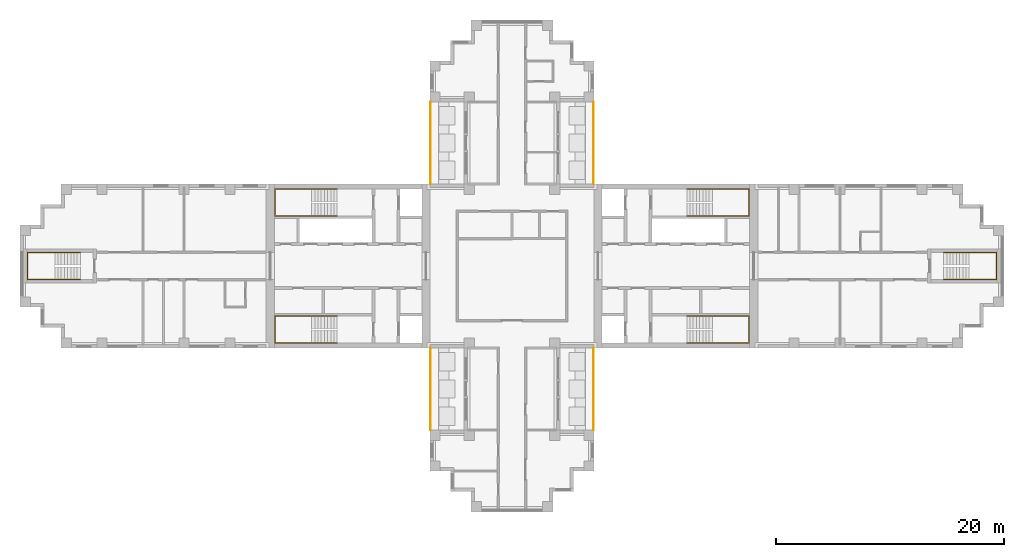
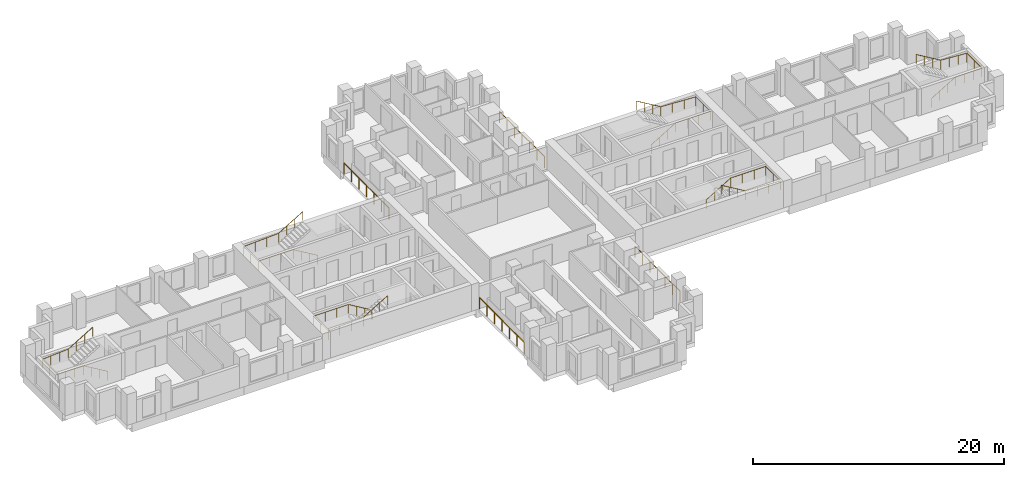
# One storey, part 10 of 11: 10 railings.
"""IFC4 building model written with IfcOpenShell, lengths in metres."""

from ifc_helpers import new_model, si_unit, direction, frame, origin, origin_2d, place, context, subcontext, project, spatial, circle, extrude, material, type_object, element, save


model = new_model("IFC4")

# Units and contexts
model_context = context("Model", 3, precision=1e-05, world=origin(), true_north=direction((0.0, 1.0)))
body_context = subcontext(model_context, "Body", "Model", "MODEL_VIEW")
ifc_project = project(units=[si_unit("LENGTHUNIT", "METRE"), si_unit("AREAUNIT", "SQUARE_METRE"), si_unit("VOLUMEUNIT", "CUBIC_METRE"), si_unit("PLANEANGLEUNIT", "RADIAN"), si_unit("MASSUNIT", "GRAM", prefix="KILO")], contexts=[model_context])

# Site, building, storey
site_placement = place(None, origin())
site = spatial("IfcSite", under=ifc_project, at=site_placement, CompositionType="ELEMENT")
building_placement = place(site_placement, origin())
building = spatial("IfcBuilding", under=site, at=building_placement, Name="Fustian Cross Tower", CompositionType="ELEMENT")
storey_placement = place(building_placement, frame((0.0, 0.0, 144.300048828125)))
storey = spatial("IfcBuildingStorey", under=building, at=storey_placement, Name="L45", CompositionType="ELEMENT", Elevation=144.300048828125)

# Railings
ifc_material_1 = material(Name="Stainless steel and glass", Category="steel")
railing_type_1 = type_object("IfcRailingType", Name="GR1 BALCONY GUARD 1100", PredefinedType="GUARDRAIL", material=ifc_material_1)
for number, where, name in (
    (1, (7.14990234375, 7.199951171875, 0.0), "Balcony guard"),
    (2, (-7.14990234375, 7.199951171875, 0.0), "Balcony guard"),
    (3, (7.14990234375, -14.39990234375, 0.0), "Balcony guard"),
    (4, (-7.14990234375, -14.39990234375, 0.0), "Balcony guard"),
):
    element("IfcRailing", number, at=place(storey_placement, frame(where)), inside=storey, type_object=railing_type_1, Name=name, PredefinedType="GUARDRAIL", context=body_context, shape_type="SweptSolid", body=[
        extrude(circle(Radius=0.02392578125, at=origin_2d()), frame((0.0, 0.0, 1.076171875), z_axis=(0.0, 1.0, 0.0), x_axis=(-1.0, 0.0, 0.0)), (0.0, 0.0, 1.0), 7.199951171875),
        extrude(circle(Radius=0.02099609375, at=origin_2d()), origin(), (0.0, 0.0, 1.0), 1.052001953125),
        extrude(circle(Radius=0.02099609375, at=origin_2d()), frame((0.0, 1.199951171875, 0.0)), (0.0, 0.0, 1.0), 1.052001953125),
        extrude(circle(Radius=0.02099609375, at=origin_2d()), frame((0.0, 2.39990234375, 0.0)), (0.0, 0.0, 1.0), 1.052001953125),
        extrude(circle(Radius=0.02099609375, at=origin_2d()), frame((0.0, 3.60009765625, 0.0)), (0.0, 0.0, 1.0), 1.052001953125),
        extrude(circle(Radius=0.02099609375, at=origin_2d()), frame((0.0, 4.800048828125, 0.0)), (0.0, 0.0, 1.0), 1.052001953125),
        extrude(circle(Radius=0.02099609375, at=origin_2d()), frame((0.0, 6.0, 0.0)), (0.0, 0.0, 1.0), 1.052001953125),
        extrude(circle(Radius=0.02099609375, at=origin_2d()), frame((0.0, 7.199951171875, 0.0)), (0.0, 0.0, 1.0), 1.052001953125),
    ])
ifc_material_2 = material(Name="Stainless steel", Category="steel")
railing_type_2 = type_object("IfcRailingType", Name="STAIR HANDRAIL", PredefinedType="HANDRAIL", material=ifc_material_2)
railing_1_placement = place(storey_placement, frame((15.35009765625, 4.39990234375, 0.16650390625)))
element("IfcRailing", 5, at=railing_1_placement, inside=storey, type_object=railing_type_2, Name="Stair ST1 handrail 1", PredefinedType="HANDRAIL", context=body_context, shape_type="SweptSolid", body=[
    extrude(circle(Radius=0.02490234375, at=origin_2d()), frame((0.0, 0.0, 0.875), z_axis=(0.859264461869, 0.0, 0.511531606619), x_axis=(0.0, 1.0, 0.0)), (0.0, 0.0, 1.0), 2.60693359375),
    extrude(circle(Radius=0.02490234375, at=origin_2d()), frame((2.239990234375, 0.0, 2.20849609375), z_axis=(1.0, 0.0, 0.0), x_axis=(0.0, 1.0, 0.0)), (0.0, 0.0, 1.0), 3.219970703125),
    extrude(circle(Radius=0.02490234375, at=origin_2d()), frame((5.4599609375, 0.0, 2.20849609375), z_axis=(0.0, 1.0, 0.0), x_axis=(-1.0, 0.0, 0.0)), (0.0, 0.0, 1.0), 2.35009765625),
    extrude(circle(Radius=0.02490234375, at=origin_2d()), frame((5.4599609375, 2.35009765625, 2.20849609375), z_axis=(-0.998665725648, 0.0, 0.051640763128), x_axis=(0.0, -1.0, 0.0)), (0.0, 0.0, 1.0), 3.224365234375),
    extrude(circle(Radius=0.02490234375, at=origin_2d()), frame((2.239990234375, 2.35009765625, 2.375), z_axis=(-0.859264461869, 0.0, 0.511531606619), x_axis=(0.0, -1.0, 0.0)), (0.0, 0.0, 1.0), 2.60693359375),
    extrude(circle(Radius=0.02001953125, at=origin_2d()), origin(), (0.0, 0.0, 1.0), 0.849853515625),
    extrude(circle(Radius=0.02001953125, at=origin_2d()), frame((0.74658203125, 0.0, 0.444580078125)), (0.0, 0.0, 1.0), 0.849853515625),
    extrude(circle(Radius=0.02001953125, at=origin_2d()), frame((1.493408203125, 0.0, 0.888916015625)), (0.0, 0.0, 1.0), 0.849853515625),
    extrude(circle(Radius=0.02001953125, at=origin_2d()), frame((2.239990234375, 0.0, 1.33349609375)), (0.0, 0.0, 1.0), 0.849853515625),
    extrude(circle(Radius=0.02001953125, at=origin_2d()), frame((3.313232421875, 0.0, 1.33349609375)), (0.0, 0.0, 1.0), 0.849853515625),
    extrude(circle(Radius=0.02001953125, at=origin_2d()), frame((4.38671875, 0.0, 1.33349609375)), (0.0, 0.0, 1.0), 0.849853515625),
    extrude(circle(Radius=0.02001953125, at=origin_2d()), frame((5.4599609375, 0.0, 1.33349609375)), (0.0, 0.0, 1.0), 0.849853515625),
    extrude(circle(Radius=0.02001953125, at=origin_2d()), frame((5.4599609375, 1.175048828125, 1.33349609375)), (0.0, 0.0, 1.0), 0.849853515625),
    extrude(circle(Radius=0.02001953125, at=origin_2d()), frame((5.4599609375, 2.35009765625, 1.33349609375)), (0.0, 0.0, 1.0), 0.849853515625),
    extrude(circle(Radius=0.02001953125, at=origin_2d()), frame((4.38671875, 2.35009765625, 1.388916015625)), (0.0, 0.0, 1.0), 0.849853515625),
    extrude(circle(Radius=0.02001953125, at=origin_2d()), frame((3.313232421875, 2.35009765625, 1.444580078125)), (0.0, 0.0, 1.0), 0.849853515625),
    extrude(circle(Radius=0.02001953125, at=origin_2d()), frame((2.239990234375, 2.35009765625, 1.5)), (0.0, 0.0, 1.0), 0.849853515625),
    extrude(circle(Radius=0.02001953125, at=origin_2d()), frame((1.493408203125, 2.35009765625, 1.944580078125)), (0.0, 0.0, 1.0), 0.849853515625),
    extrude(circle(Radius=0.02001953125, at=origin_2d()), frame((0.74658203125, 2.35009765625, 2.388916015625)), (0.0, 0.0, 1.0), 0.849853515625),
    extrude(circle(Radius=0.02001953125, at=origin_2d()), frame((0.0, 2.35009765625, 2.83349609375)), (0.0, 0.0, 1.0), 0.849853515625),
])
railing_2_placement = place(storey_placement, frame((15.35009765625, -4.39990234375, 0.16650390625)))
element("IfcRailing", 6, at=railing_2_placement, inside=storey, type_object=railing_type_2, Name="Stair ST2 handrail 1", PredefinedType="HANDRAIL", context=body_context, shape_type="SweptSolid", body=[
    extrude(circle(Radius=0.02490234375, at=origin_2d()), frame((0.0, 0.0, 0.875), z_axis=(0.859264461869, 0.0, 0.511531606619), x_axis=(0.0, 1.0, 0.0)), (0.0, 0.0, 1.0), 2.60693359375),
    extrude(circle(Radius=0.02490234375, at=origin_2d()), frame((2.239990234375, 0.0, 2.20849609375), z_axis=(1.0, 0.0, 0.0), x_axis=(0.0, 1.0, 0.0)), (0.0, 0.0, 1.0), 3.219970703125),
    extrude(circle(Radius=0.02490234375, at=origin_2d()), frame((5.4599609375, 0.0, 2.20849609375), z_axis=(0.0, -1.0, 0.0), x_axis=(1.0, 0.0, 0.0)), (0.0, 0.0, 1.0), 2.35009765625),
    extrude(circle(Radius=0.02490234375, at=origin_2d()), frame((5.4599609375, -2.35009765625, 2.20849609375), z_axis=(-0.998665725648, 0.0, 0.051640763128), x_axis=(0.0, -1.0, 0.0)), (0.0, 0.0, 1.0), 3.224365234375),
    extrude(circle(Radius=0.02490234375, at=origin_2d()), frame((2.239990234375, -2.35009765625, 2.375), z_axis=(-0.859264461869, 0.0, 0.511531606619), x_axis=(0.0, -1.0, 0.0)), (0.0, 0.0, 1.0), 2.60693359375),
    extrude(circle(Radius=0.02001953125, at=origin_2d()), origin(), (0.0, 0.0, 1.0), 0.849853515625),
    extrude(circle(Radius=0.02001953125, at=origin_2d()), frame((0.74658203125, 0.0, 0.444580078125)), (0.0, 0.0, 1.0), 0.849853515625),
    extrude(circle(Radius=0.02001953125, at=origin_2d()), frame((1.493408203125, 0.0, 0.888916015625)), (0.0, 0.0, 1.0), 0.849853515625),
    extrude(circle(Radius=0.02001953125, at=origin_2d()), frame((2.239990234375, 0.0, 1.33349609375)), (0.0, 0.0, 1.0), 0.849853515625),
    extrude(circle(Radius=0.02001953125, at=origin_2d()), frame((3.313232421875, 0.0, 1.33349609375)), (0.0, 0.0, 1.0), 0.849853515625),
    extrude(circle(Radius=0.02001953125, at=origin_2d()), frame((4.38671875, 0.0, 1.33349609375)), (0.0, 0.0, 1.0), 0.849853515625),
    extrude(circle(Radius=0.02001953125, at=origin_2d()), frame((5.4599609375, 0.0, 1.33349609375)), (0.0, 0.0, 1.0), 0.849853515625),
    extrude(circle(Radius=0.02001953125, at=origin_2d()), frame((5.4599609375, -1.175048828125, 1.33349609375)), (0.0, 0.0, 1.0), 0.849853515625),
    extrude(circle(Radius=0.02001953125, at=origin_2d()), frame((5.4599609375, -2.35009765625, 1.33349609375)), (0.0, 0.0, 1.0), 0.849853515625),
    extrude(circle(Radius=0.02001953125, at=origin_2d()), frame((4.38671875, -2.35009765625, 1.388916015625)), (0.0, 0.0, 1.0), 0.849853515625),
    extrude(circle(Radius=0.02001953125, at=origin_2d()), frame((3.313232421875, -2.35009765625, 1.444580078125)), (0.0, 0.0, 1.0), 0.849853515625),
    extrude(circle(Radius=0.02001953125, at=origin_2d()), frame((2.239990234375, -2.35009765625, 1.5)), (0.0, 0.0, 1.0), 0.849853515625),
    extrude(circle(Radius=0.02001953125, at=origin_2d()), frame((1.493408203125, -2.35009765625, 1.944580078125)), (0.0, 0.0, 1.0), 0.849853515625),
    extrude(circle(Radius=0.02001953125, at=origin_2d()), frame((0.74658203125, -2.35009765625, 2.388916015625)), (0.0, 0.0, 1.0), 0.849853515625),
    extrude(circle(Radius=0.02001953125, at=origin_2d()), frame((0.0, -2.35009765625, 2.83349609375)), (0.0, 0.0, 1.0), 0.849853515625),
])
railing_3_placement = place(storey_placement, frame((-15.35009765625, 4.39990234375, 0.16650390625)))
element("IfcRailing", 7, at=railing_3_placement, inside=storey, type_object=railing_type_2, Name="Stair ST3 handrail 1", PredefinedType="HANDRAIL", context=body_context, shape_type="SweptSolid", body=[
    extrude(circle(Radius=0.02490234375, at=origin_2d()), frame((0.0, 0.0, 0.875), z_axis=(-0.859264461869, 0.0, 0.511531606619), x_axis=(0.0, -1.0, 0.0)), (0.0, 0.0, 1.0), 2.60693359375),
    extrude(circle(Radius=0.02490234375, at=origin_2d()), frame((-2.239990234375, 0.0, 2.20849609375), z_axis=(-1.0, 0.0, 0.0), x_axis=(0.0, -1.0, 0.0)), (0.0, 0.0, 1.0), 3.219970703125),
    extrude(circle(Radius=0.02490234375, at=origin_2d()), frame((-5.4599609375, 0.0, 2.20849609375), z_axis=(0.0, 1.0, 0.0), x_axis=(-1.0, 0.0, 0.0)), (0.0, 0.0, 1.0), 2.35009765625),
    extrude(circle(Radius=0.02490234375, at=origin_2d()), frame((-5.4599609375, 2.35009765625, 2.20849609375), z_axis=(0.998665725648, 0.0, 0.051640763128), x_axis=(0.0, 1.0, 0.0)), (0.0, 0.0, 1.0), 3.224365234375),
    extrude(circle(Radius=0.02490234375, at=origin_2d()), frame((-2.239990234375, 2.35009765625, 2.375), z_axis=(0.859264461869, 0.0, 0.511531606619), x_axis=(0.0, 1.0, 0.0)), (0.0, 0.0, 1.0), 2.60693359375),
    extrude(circle(Radius=0.02001953125, at=origin_2d()), origin(), (0.0, 0.0, 1.0), 0.849853515625),
    extrude(circle(Radius=0.02001953125, at=origin_2d()), frame((-0.74658203125, 0.0, 0.444580078125)), (0.0, 0.0, 1.0), 0.849853515625),
    extrude(circle(Radius=0.02001953125, at=origin_2d()), frame((-1.493408203125, 0.0, 0.888916015625)), (0.0, 0.0, 1.0), 0.849853515625),
    extrude(circle(Radius=0.02001953125, at=origin_2d()), frame((-2.239990234375, 0.0, 1.33349609375)), (0.0, 0.0, 1.0), 0.849853515625),
    extrude(circle(Radius=0.02001953125, at=origin_2d()), frame((-3.313232421875, 0.0, 1.33349609375)), (0.0, 0.0, 1.0), 0.849853515625),
    extrude(circle(Radius=0.02001953125, at=origin_2d()), frame((-4.38671875, 0.0, 1.33349609375)), (0.0, 0.0, 1.0), 0.849853515625),
    extrude(circle(Radius=0.02001953125, at=origin_2d()), frame((-5.4599609375, 0.0, 1.33349609375)), (0.0, 0.0, 1.0), 0.849853515625),
    extrude(circle(Radius=0.02001953125, at=origin_2d()), frame((-5.4599609375, 1.175048828125, 1.33349609375)), (0.0, 0.0, 1.0), 0.849853515625),
    extrude(circle(Radius=0.02001953125, at=origin_2d()), frame((-5.4599609375, 2.35009765625, 1.33349609375)), (0.0, 0.0, 1.0), 0.849853515625),
    extrude(circle(Radius=0.02001953125, at=origin_2d()), frame((-4.38671875, 2.35009765625, 1.388916015625)), (0.0, 0.0, 1.0), 0.849853515625),
    extrude(circle(Radius=0.02001953125, at=origin_2d()), frame((-3.313232421875, 2.35009765625, 1.444580078125)), (0.0, 0.0, 1.0), 0.849853515625),
    extrude(circle(Radius=0.02001953125, at=origin_2d()), frame((-2.239990234375, 2.35009765625, 1.5)), (0.0, 0.0, 1.0), 0.849853515625),
    extrude(circle(Radius=0.02001953125, at=origin_2d()), frame((-1.493408203125, 2.35009765625, 1.944580078125)), (0.0, 0.0, 1.0), 0.849853515625),
    extrude(circle(Radius=0.02001953125, at=origin_2d()), frame((-0.74658203125, 2.35009765625, 2.388916015625)), (0.0, 0.0, 1.0), 0.849853515625),
    extrude(circle(Radius=0.02001953125, at=origin_2d()), frame((0.0, 2.35009765625, 2.83349609375)), (0.0, 0.0, 1.0), 0.849853515625),
])
railing_4_placement = place(storey_placement, frame((-15.35009765625, -4.39990234375, 0.16650390625)))
element("IfcRailing", 8, at=railing_4_placement, inside=storey, type_object=railing_type_2, Name="Stair ST4 handrail 1", PredefinedType="HANDRAIL", context=body_context, shape_type="SweptSolid", body=[
    extrude(circle(Radius=0.02490234375, at=origin_2d()), frame((0.0, 0.0, 0.875), z_axis=(-0.859264461869, 0.0, 0.511531606619), x_axis=(0.0, -1.0, 0.0)), (0.0, 0.0, 1.0), 2.60693359375),
    extrude(circle(Radius=0.02490234375, at=origin_2d()), frame((-2.239990234375, 0.0, 2.20849609375), z_axis=(-1.0, 0.0, 0.0), x_axis=(0.0, -1.0, 0.0)), (0.0, 0.0, 1.0), 3.219970703125),
    extrude(circle(Radius=0.02490234375, at=origin_2d()), frame((-5.4599609375, 0.0, 2.20849609375), z_axis=(0.0, -1.0, 0.0), x_axis=(1.0, 0.0, 0.0)), (0.0, 0.0, 1.0), 2.35009765625),
    extrude(circle(Radius=0.02490234375, at=origin_2d()), frame((-5.4599609375, -2.35009765625, 2.20849609375), z_axis=(0.998665725648, 0.0, 0.051640763128), x_axis=(0.0, 1.0, 0.0)), (0.0, 0.0, 1.0), 3.224365234375),
    extrude(circle(Radius=0.02490234375, at=origin_2d()), frame((-2.239990234375, -2.35009765625, 2.375), z_axis=(0.859264461869, 0.0, 0.511531606619), x_axis=(0.0, 1.0, 0.0)), (0.0, 0.0, 1.0), 2.60693359375),
    extrude(circle(Radius=0.02001953125, at=origin_2d()), origin(), (0.0, 0.0, 1.0), 0.849853515625),
    extrude(circle(Radius=0.02001953125, at=origin_2d()), frame((-0.74658203125, 0.0, 0.444580078125)), (0.0, 0.0, 1.0), 0.849853515625),
    extrude(circle(Radius=0.02001953125, at=origin_2d()), frame((-1.493408203125, 0.0, 0.888916015625)), (0.0, 0.0, 1.0), 0.849853515625),
    extrude(circle(Radius=0.02001953125, at=origin_2d()), frame((-2.239990234375, 0.0, 1.33349609375)), (0.0, 0.0, 1.0), 0.849853515625),
    extrude(circle(Radius=0.02001953125, at=origin_2d()), frame((-3.313232421875, 0.0, 1.33349609375)), (0.0, 0.0, 1.0), 0.849853515625),
    extrude(circle(Radius=0.02001953125, at=origin_2d()), frame((-4.38671875, 0.0, 1.33349609375)), (0.0, 0.0, 1.0), 0.849853515625),
    extrude(circle(Radius=0.02001953125, at=origin_2d()), frame((-5.4599609375, 0.0, 1.33349609375)), (0.0, 0.0, 1.0), 0.849853515625),
    extrude(circle(Radius=0.02001953125, at=origin_2d()), frame((-5.4599609375, -1.175048828125, 1.33349609375)), (0.0, 0.0, 1.0), 0.849853515625),
    extrude(circle(Radius=0.02001953125, at=origin_2d()), frame((-5.4599609375, -2.35009765625, 1.33349609375)), (0.0, 0.0, 1.0), 0.849853515625),
    extrude(circle(Radius=0.02001953125, at=origin_2d()), frame((-4.38671875, -2.35009765625, 1.388916015625)), (0.0, 0.0, 1.0), 0.849853515625),
    extrude(circle(Radius=0.02001953125, at=origin_2d()), frame((-3.313232421875, -2.35009765625, 1.444580078125)), (0.0, 0.0, 1.0), 0.849853515625),
    extrude(circle(Radius=0.02001953125, at=origin_2d()), frame((-2.239990234375, -2.35009765625, 1.5)), (0.0, 0.0, 1.0), 0.849853515625),
    extrude(circle(Radius=0.02001953125, at=origin_2d()), frame((-1.493408203125, -2.35009765625, 1.944580078125)), (0.0, 0.0, 1.0), 0.849853515625),
    extrude(circle(Radius=0.02001953125, at=origin_2d()), frame((-0.74658203125, -2.35009765625, 2.388916015625)), (0.0, 0.0, 1.0), 0.849853515625),
    extrude(circle(Radius=0.02001953125, at=origin_2d()), frame((0.0, -2.35009765625, 2.83349609375)), (0.0, 0.0, 1.0), 0.849853515625),
])
railing_5_placement = place(storey_placement, frame((37.89990234375, -1.199951171875, 0.16650390625)))
element("IfcRailing", 9, at=railing_5_placement, inside=storey, type_object=railing_type_2, Name="Stair ST8 handrail 1", PredefinedType="HANDRAIL", context=body_context, shape_type="SweptSolid", body=[
    extrude(circle(Radius=0.02490234375, at=origin_2d()), frame((0.0, 0.0, 0.875), z_axis=(0.859264461869, 0.0, 0.511531606619), x_axis=(0.0, 1.0, 0.0)), (0.0, 0.0, 1.0), 2.60693359375),
    extrude(circle(Radius=0.02490234375, at=origin_2d()), frame((2.239990234375, 0.0, 2.20849609375), z_axis=(1.0, 0.0, 0.0), x_axis=(0.0, 1.0, 0.0)), (0.0, 0.0, 1.0), 2.420166015625),
    extrude(circle(Radius=0.02490234375, at=origin_2d()), frame((4.66015625, 0.0, 2.20849609375), z_axis=(0.0, 1.0, 0.0), x_axis=(-1.0, 0.0, 0.0)), (0.0, 0.0, 1.0), 2.39990234375),
    extrude(circle(Radius=0.02490234375, at=origin_2d()), frame((4.66015625, 2.39990234375, 2.20849609375), z_axis=(-0.997641748275, 0.0, 0.068636303069), x_axis=(0.0, -1.0, 0.0)), (0.0, 0.0, 1.0), 2.42578125),
    extrude(circle(Radius=0.02490234375, at=origin_2d()), frame((2.239990234375, 2.39990234375, 2.375), z_axis=(-0.859264461869, 0.0, 0.511531606619), x_axis=(0.0, -1.0, 0.0)), (0.0, 0.0, 1.0), 2.60693359375),
    extrude(circle(Radius=0.02001953125, at=origin_2d()), origin(), (0.0, 0.0, 1.0), 0.849853515625),
    extrude(circle(Radius=0.02001953125, at=origin_2d()), frame((0.74658203125, 0.0, 0.444580078125)), (0.0, 0.0, 1.0), 0.849853515625),
    extrude(circle(Radius=0.02001953125, at=origin_2d()), frame((1.493408203125, 0.0, 0.888916015625)), (0.0, 0.0, 1.0), 0.849853515625),
    extrude(circle(Radius=0.02001953125, at=origin_2d()), frame((2.239990234375, 0.0, 1.33349609375)), (0.0, 0.0, 1.0), 0.849853515625),
    extrude(circle(Radius=0.02001953125, at=origin_2d()), frame((3.046630859375, 0.0, 1.33349609375)), (0.0, 0.0, 1.0), 0.849853515625),
    extrude(circle(Radius=0.02001953125, at=origin_2d()), frame((3.853515625, 0.0, 1.33349609375)), (0.0, 0.0, 1.0), 0.849853515625),
    extrude(circle(Radius=0.02001953125, at=origin_2d()), frame((4.66015625, 0.0, 1.33349609375)), (0.0, 0.0, 1.0), 0.849853515625),
    extrude(circle(Radius=0.02001953125, at=origin_2d()), frame((4.66015625, 1.199951171875, 1.33349609375)), (0.0, 0.0, 1.0), 0.849853515625),
    extrude(circle(Radius=0.02001953125, at=origin_2d()), frame((4.66015625, 2.39990234375, 1.33349609375)), (0.0, 0.0, 1.0), 0.849853515625),
    extrude(circle(Radius=0.02001953125, at=origin_2d()), frame((3.853515625, 2.39990234375, 1.388916015625)), (0.0, 0.0, 1.0), 0.849853515625),
    extrude(circle(Radius=0.02001953125, at=origin_2d()), frame((3.046630859375, 2.39990234375, 1.444580078125)), (0.0, 0.0, 1.0), 0.849853515625),
    extrude(circle(Radius=0.02001953125, at=origin_2d()), frame((2.239990234375, 2.39990234375, 1.5)), (0.0, 0.0, 1.0), 0.849853515625),
    extrude(circle(Radius=0.02001953125, at=origin_2d()), frame((1.493408203125, 2.39990234375, 1.944580078125)), (0.0, 0.0, 1.0), 0.849853515625),
    extrude(circle(Radius=0.02001953125, at=origin_2d()), frame((0.74658203125, 2.39990234375, 2.388916015625)), (0.0, 0.0, 1.0), 0.849853515625),
    extrude(circle(Radius=0.02001953125, at=origin_2d()), frame((0.0, 2.39990234375, 2.83349609375)), (0.0, 0.0, 1.0), 0.849853515625),
])
railing_6_placement = place(storey_placement, frame((-37.89990234375, -1.199951171875, 0.16650390625)))
element("IfcRailing", 10, at=railing_6_placement, inside=storey, type_object=railing_type_2, Name="Stair ST9 handrail 1", PredefinedType="HANDRAIL", context=body_context, shape_type="SweptSolid", body=[
    extrude(circle(Radius=0.02490234375, at=origin_2d()), frame((0.0, 0.0, 0.875), z_axis=(-0.859264461869, 0.0, 0.511531606619), x_axis=(0.0, -1.0, 0.0)), (0.0, 0.0, 1.0), 2.60693359375),
    extrude(circle(Radius=0.02490234375, at=origin_2d()), frame((-2.239990234375, 0.0, 2.20849609375), z_axis=(-1.0, 0.0, 0.0), x_axis=(0.0, -1.0, 0.0)), (0.0, 0.0, 1.0), 2.420166015625),
    extrude(circle(Radius=0.02490234375, at=origin_2d()), frame((-4.66015625, 0.0, 2.20849609375), z_axis=(0.0, 1.0, 0.0), x_axis=(-1.0, 0.0, 0.0)), (0.0, 0.0, 1.0), 2.39990234375),
    extrude(circle(Radius=0.02490234375, at=origin_2d()), frame((-4.66015625, 2.39990234375, 2.20849609375), z_axis=(0.997641748275, 0.0, 0.068636303069), x_axis=(0.0, 1.0, 0.0)), (0.0, 0.0, 1.0), 2.42578125),
    extrude(circle(Radius=0.02490234375, at=origin_2d()), frame((-2.239990234375, 2.39990234375, 2.375), z_axis=(0.859264461869, 0.0, 0.511531606619), x_axis=(0.0, 1.0, 0.0)), (0.0, 0.0, 1.0), 2.60693359375),
    extrude(circle(Radius=0.02001953125, at=origin_2d()), origin(), (0.0, 0.0, 1.0), 0.849853515625),
    extrude(circle(Radius=0.02001953125, at=origin_2d()), frame((-0.74658203125, 0.0, 0.444580078125)), (0.0, 0.0, 1.0), 0.849853515625),
    extrude(circle(Radius=0.02001953125, at=origin_2d()), frame((-1.493408203125, 0.0, 0.888916015625)), (0.0, 0.0, 1.0), 0.849853515625),
    extrude(circle(Radius=0.02001953125, at=origin_2d()), frame((-2.239990234375, 0.0, 1.33349609375)), (0.0, 0.0, 1.0), 0.849853515625),
    extrude(circle(Radius=0.02001953125, at=origin_2d()), frame((-3.046630859375, 0.0, 1.33349609375)), (0.0, 0.0, 1.0), 0.849853515625),
    extrude(circle(Radius=0.02001953125, at=origin_2d()), frame((-3.853515625, 0.0, 1.33349609375)), (0.0, 0.0, 1.0), 0.849853515625),
    extrude(circle(Radius=0.02001953125, at=origin_2d()), frame((-4.66015625, 0.0, 1.33349609375)), (0.0, 0.0, 1.0), 0.849853515625),
    extrude(circle(Radius=0.02001953125, at=origin_2d()), frame((-4.66015625, 1.199951171875, 1.33349609375)), (0.0, 0.0, 1.0), 0.849853515625),
    extrude(circle(Radius=0.02001953125, at=origin_2d()), frame((-4.66015625, 2.39990234375, 1.33349609375)), (0.0, 0.0, 1.0), 0.849853515625),
    extrude(circle(Radius=0.02001953125, at=origin_2d()), frame((-3.853515625, 2.39990234375, 1.388916015625)), (0.0, 0.0, 1.0), 0.849853515625),
    extrude(circle(Radius=0.02001953125, at=origin_2d()), frame((-3.046630859375, 2.39990234375, 1.444580078125)), (0.0, 0.0, 1.0), 0.849853515625),
    extrude(circle(Radius=0.02001953125, at=origin_2d()), frame((-2.239990234375, 2.39990234375, 1.5)), (0.0, 0.0, 1.0), 0.849853515625),
    extrude(circle(Radius=0.02001953125, at=origin_2d()), frame((-1.493408203125, 2.39990234375, 1.944580078125)), (0.0, 0.0, 1.0), 0.849853515625),
    extrude(circle(Radius=0.02001953125, at=origin_2d()), frame((-0.74658203125, 2.39990234375, 2.388916015625)), (0.0, 0.0, 1.0), 0.849853515625),
    extrude(circle(Radius=0.02001953125, at=origin_2d()), frame((0.0, 2.39990234375, 2.83349609375)), (0.0, 0.0, 1.0), 0.849853515625),
])

save(model, "model.ifc")
